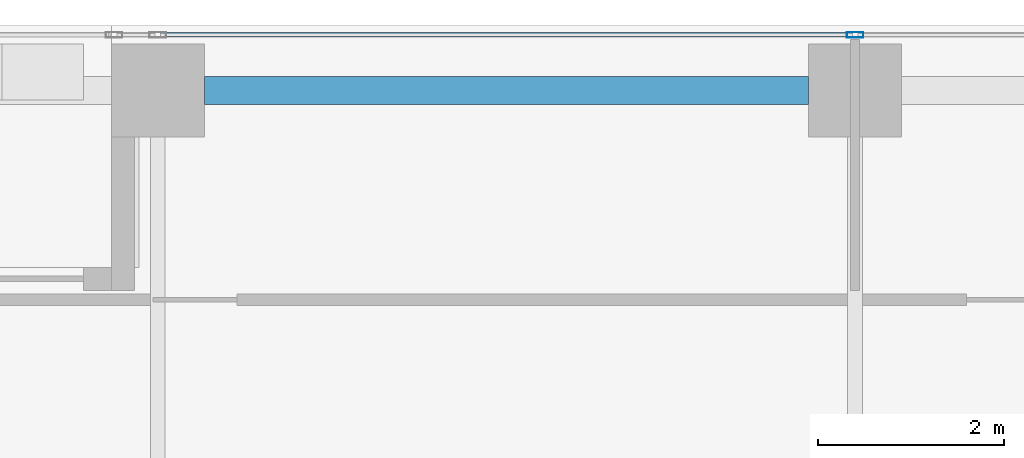
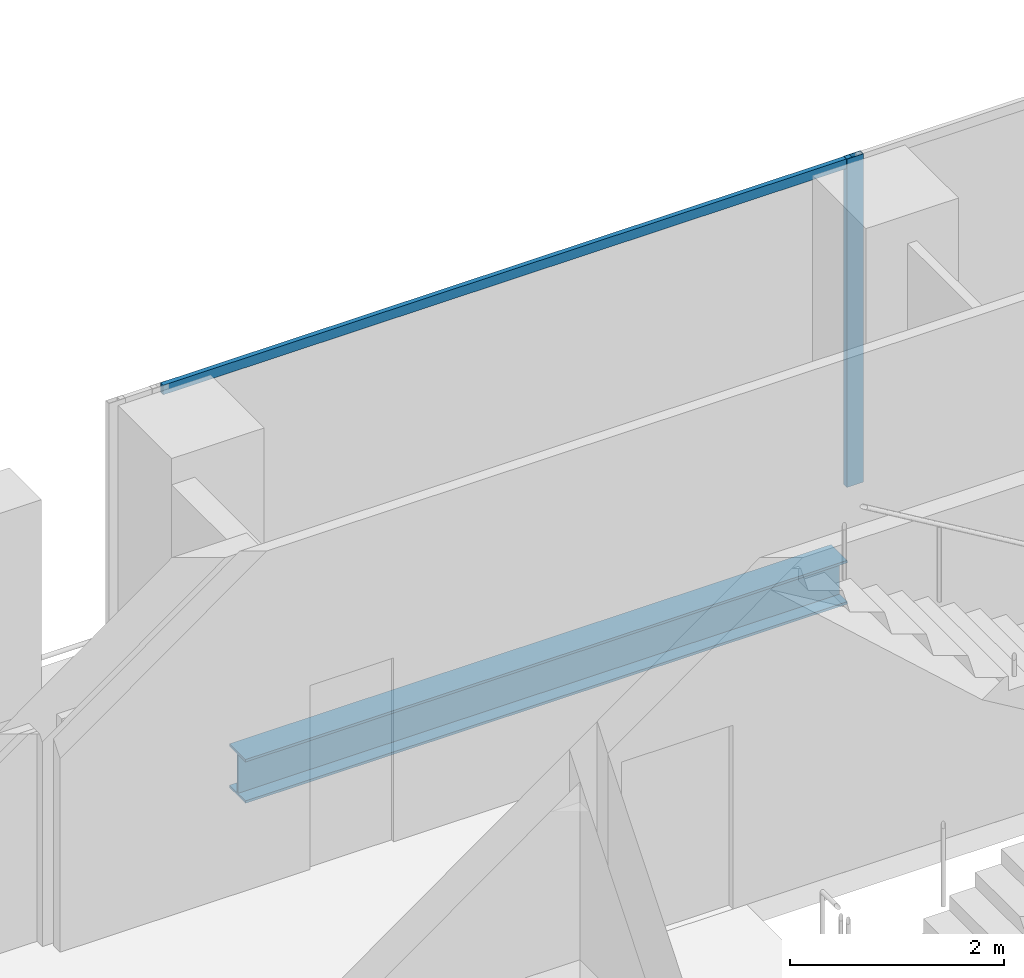
# One storey, part 22 of 40: 2 members, 1 beam, 1 element without a shape of its own.
"""IFC4 building model written with IfcOpenShell, lengths in metres."""

from ifc_helpers import new_model, si_unit, direction, frame, origin, origin_2d, place, context, subcontext, project, spatial, hollow_rectangle, i_section, extrude, source, transform, mapped, material, material_profile, profile_set, type_object, element, aggregate, save


model = new_model("IFC4")

# Units and contexts
model_context = context("Model", 3, precision=1e-05, world=origin(), true_north=direction((0.0, 1.0)))
body_context = subcontext(model_context, "Body", "Model", "MODEL_VIEW")
ifc_project = project(units=[si_unit("LENGTHUNIT", "METRE"), si_unit("AREAUNIT", "SQUARE_METRE"), si_unit("VOLUMEUNIT", "CUBIC_METRE"), si_unit("PLANEANGLEUNIT", "RADIAN"), si_unit("MASSUNIT", "GRAM", prefix="KILO")], contexts=[model_context])

# Site, building, storey
site_placement = place(None, origin())
site = spatial("IfcSite", under=ifc_project, at=site_placement, CompositionType="ELEMENT")
building_placement = place(site_placement, origin())
building = spatial("IfcBuilding", under=site, at=building_placement, Name="Khomas Fold Tower", CompositionType="ELEMENT")
storey_placement = place(building_placement, frame((0.0, 0.0, 204.699951171875)))
storey = spatial("IfcBuildingStorey", under=building, at=storey_placement, Name="L45", CompositionType="ELEMENT", Elevation=204.699951171875)

# Beam
ifc_material_1 = material(Name="Steel S355", Category="steel")
ifc_material_profile_1 = material_profile(ifc_material_1, i_section(OverallWidth=0.300048828125, OverallDepth=0.5, WebThickness=0.014404296875, FlangeThickness=0.028076171875, at=origin_2d()), Name="HE 500 B")
ifc_profile_set_1 = profile_set([ifc_material_profile_1], Name="Steel S355")
beam_type = type_object("IfcBeamType", Name="HE 500 B spandrel SB3", PredefinedType="SPANDREL", material=ifc_profile_set_1)
shared_shape_1 = source(origin(), body_context, "Body", "SweptSolid", [
    extrude(i_section(OverallWidth=0.300048828125, OverallDepth=0.5, WebThickness=0.014404296875, FlangeThickness=0.028076171875, at=origin_2d()), origin(), (0.0, 0.0, 1.0), 6.5),
])
beam_placement = place(storey_placement, frame((20.0, 50.300048828125, -0.5), z_axis=(1.0, 0.0, 0.0), x_axis=(0.0, 1.0, 0.0)))
element("IfcBeam", 1, at=beam_placement, inside=storey, type_object=beam_type, Name="SB3", PredefinedType="SPANDREL", context=body_context, shape_type="MappedRepresentation", body=[
    mapped(shared_shape_1, transform((0.0, 0.0, 0.0))),
])

# Curtain wall, members
ifc_material_2 = material(Name="Aluminium framed double glazing", Category="aluminium")
curtain_wall_type = type_object("IfcCurtainWallType", Name="SK-Unitised clear-glass wall, office floors CW2", PredefinedType="NOTDEFINED", material=ifc_material_2)
curtain_wall_placement = place(storey_placement, origin())
curtain_wall = element("IfcCurtainWall", 2, at=curtain_wall_placement, inside=storey, type_object=curtain_wall_type, Name="CW2 run L45 06-0", PredefinedType="NOTDEFINED")
ifc_material_3 = material(Name="Aluminium", Category="aluminium")
ifc_material_profile_2 = material_profile(ifc_material_3, hollow_rectangle(XDim=0.06005859375, YDim=0.179931640625, WallThickness=0.00390625, at=origin_2d()), Name="SK-Unitised clear-glass wall, office floors mullion CW2-M")
ifc_profile_set_2 = profile_set([ifc_material_profile_2], Name="Aluminium")
member_type_1 = type_object("IfcMemberType", Name="SK-Unitised clear-glass wall, office floors mullion CW2-M", PredefinedType="MULLION", material=ifc_profile_set_2)
shared_shape_2 = source(origin(), body_context, "Body", "SweptSolid", [
    extrude(hollow_rectangle(XDim=0.06005859375, YDim=0.179931640625, WallThickness=0.00390625, at=origin_2d()), origin(), (0.0, 0.0, 1.0), 3.75),
])
member_1_placement = place(storey_placement, frame((27.0, 50.89990234375, 0.0), z_axis=(0.0, 0.0, 1.0), x_axis=(0.0, -1.0, 0.0)))
member_1 = element("IfcMember", 3, at=member_1_placement, type_object=member_type_1, Name="CW2 mullion 3", PredefinedType="MULLION", context=body_context, shape_type="MappedRepresentation", body=[
    mapped(shared_shape_2, transform((0.0, 0.0, 0.0))),
])
ifc_material_4 = material(Name="Aluminium", Category="aluminium")
ifc_material_profile_3 = material_profile(ifc_material_4, hollow_rectangle(XDim=0.050048828125, YDim=0.110107421875, WallThickness=0.00390625, at=origin_2d()), Name="SK-Unitised clear-glass wall, office floors transom CW2-T")
ifc_profile_set_3 = profile_set([ifc_material_profile_3], Name="Aluminium")
member_type_2 = type_object("IfcMemberType", Name="SK-Unitised clear-glass wall, office floors transom CW2-T", PredefinedType="USERDEFINED", material=ifc_profile_set_3)
shared_shape_3 = source(origin(), body_context, "Body", "SweptSolid", [
    extrude(hollow_rectangle(XDim=0.050048828125, YDim=0.110107421875, WallThickness=0.00390625, at=origin_2d()), origin(), (0.0, 0.0, 1.0), 7.43994140625),
])
member_2_placement = place(storey_placement, frame((26.969970703125, 50.89990234375, 3.695068359375), z_axis=(-1.0, 0.0, 0.0), x_axis=(0.0, -1.0, 0.0)))
member_2 = element("IfcMember", 4, at=member_2_placement, type_object=member_type_2, Name="CW2 transom 3", ObjectType="TRANSOM", PredefinedType="USERDEFINED", context=body_context, shape_type="MappedRepresentation", body=[
    mapped(shared_shape_3, transform((0.0, 0.0, 0.0))),
])
aggregate(curtain_wall, [member_1, member_2])

save(model, "model.ifc")
